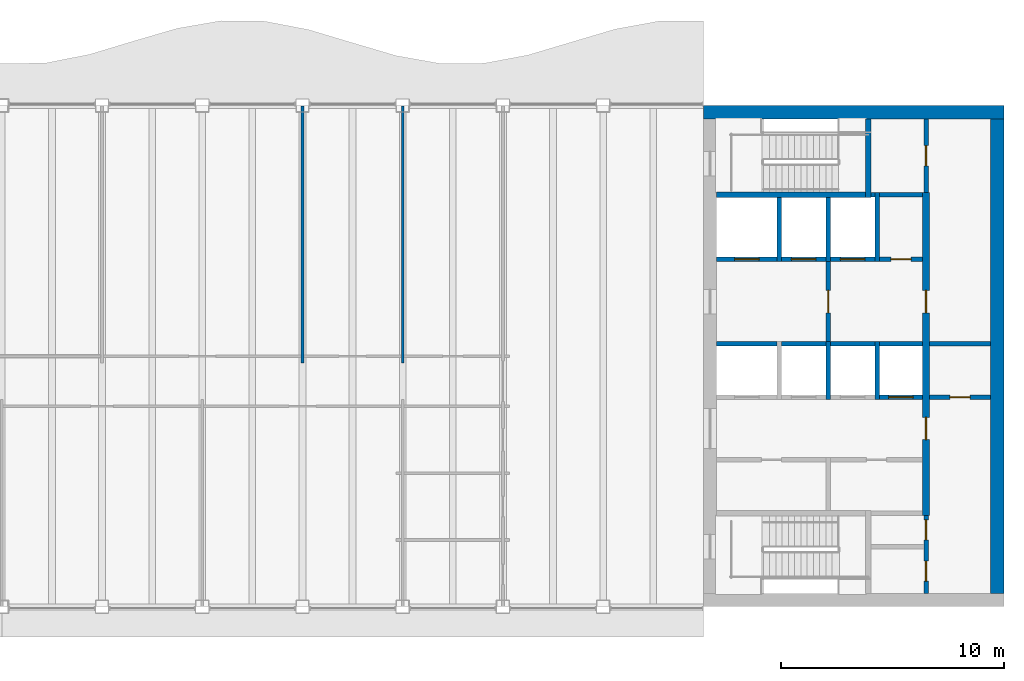
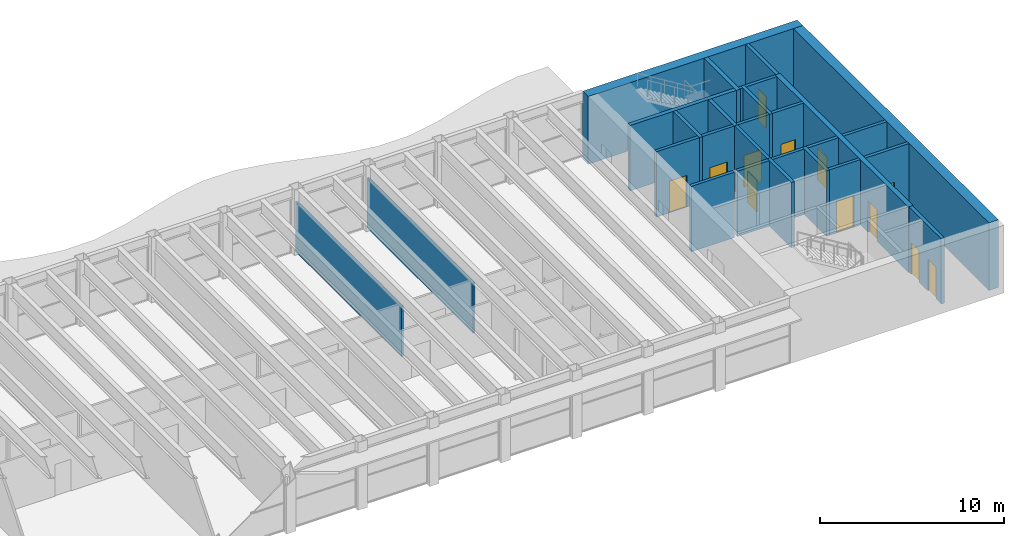
# One storey, part 10 of 14: 28 walls, 12 doors, 12 openings.
"""IFC4 building model written with IfcOpenShell, lengths in metres."""

from ifc_helpers import new_model, si_unit, direction, frame, frame_2d, origin, place, context, subcontext, project, spatial, rectangle, extrude, material, layer, layer_set, type_object, element, fill, save


model = new_model("IFC4")

# Units and contexts
model_context = context("Model", 3, precision=1e-05, world=origin(), true_north=direction((0.0, 1.0)))
body_context = subcontext(model_context, "Body", "Model", "MODEL_VIEW")
ifc_project = project(units=[si_unit("LENGTHUNIT", "METRE"), si_unit("AREAUNIT", "SQUARE_METRE"), si_unit("VOLUMEUNIT", "CUBIC_METRE"), si_unit("PLANEANGLEUNIT", "RADIAN"), si_unit("MASSUNIT", "GRAM", prefix="KILO")], contexts=[model_context])

# Site, building, storey
site_placement = place(None, origin())
site = spatial("IfcSite", under=ifc_project, at=site_placement, CompositionType="ELEMENT")
building_placement = place(site_placement, origin())
building = spatial("IfcBuilding", under=site, at=building_placement, Name="Sennacour Bend Tower", CompositionType="ELEMENT")
storey_placement = place(building_placement, frame((0.0, 0.0, 309.5)))
storey = spatial("IfcBuildingStorey", under=building, at=storey_placement, Name="L71", CompositionType="ELEMENT", Elevation=309.5)

# Walls
ifc_material_1 = material(Name="Concrete C50/60", Category="concrete")
ifc_layer_1 = layer(ifc_material_1, 0.60009765625, Name="Concrete C50/60", Category="concrete")
ifc_layer_set_1 = layer_set([ifc_layer_1], Name="Concrete C50/60")
wall_type_1 = type_object("IfcWallType", Name="Core wall 600 C50/60", PredefinedType="SHEAR", material=ifc_layer_set_1)
wall_1_placement = place(storey_placement, frame((54.0, 22.199951171875, -0.14990234375), z_axis=(0.0, 0.0, 1.0), x_axis=(1.0, 0.0, 0.0)))
element("IfcWall", 1, at=wall_1_placement, inside=storey, type_object=wall_type_1, Name="Core A wall L71 N", PredefinedType="SHEAR", context=body_context, shape_type="SweptSolid", body=[
    extrude(rectangle(XDim=13.5, YDim=0.60009765625, at=frame_2d((6.75, 0.0))), origin(), (0.0, 0.0, 1.0), 4.5),
])
wall_2_placement = place(storey_placement, frame((67.199951171875, 0.60009765625, -0.14990234375), z_axis=(0.0, 0.0, 1.0), x_axis=(0.0, 1.0, 0.0)))
element("IfcWall", 2, at=wall_2_placement, inside=storey, type_object=wall_type_1, Name="Core A wall L71 E", PredefinedType="SHEAR", context=body_context, shape_type="SweptSolid", body=[
    extrude(rectangle(XDim=21.2998046875, YDim=0.60009765625, at=frame_2d((10.64990234375, 0.0))), origin(), (0.0, 0.0, 1.0), 4.5),
])
ifc_material_2 = material(Name="Plasterboard partition on steel studs", Category="steel")
ifc_layer_2 = layer(ifc_material_2, 0.1201171875, Name="Plasterboard partition on steel studs", Category="steel")
ifc_layer_set_2 = layer_set([ifc_layer_2], Name="Plasterboard partition on steel studs")
wall_type_2 = type_object("IfcWallType", Name="Partition 120", PredefinedType="PARTITIONING", material=ifc_layer_set_2)
for number, where, z_axis, x_axis, name in (
    (3, (36.0, 10.949951171875, 0.0), (0.0, 0.0, 1.0), (0.0, 1.0, 0.0), "P-L71-W012a"),
    (4, (40.5, 10.949951171875, 0.0), (0.0, 0.0, 1.0), (0.0, 1.0, 0.0), "P-L71-W014a"),
):
    element("IfcWall", number, at=place(storey_placement, frame(where, z_axis=z_axis, x_axis=x_axis)), inside=storey, type_object=wall_type_2, Name=name, PredefinedType="PARTITIONING", context=body_context, shape_type="SweptSolid", body=[
        extrude(rectangle(XDim=11.5400390625, YDim=0.1201171875, at=frame_2d((5.77001953125, 0.0))), origin(), (0.0, 0.0, 1.0), 3.35888671875),
    ])

# Wall, openings, doors
ifc_material_3 = material(Name="Fire-rated plasterboard partition on steel studs", Category="steel")
ifc_layer_3 = layer(ifc_material_3, 0.199951171875, Name="Fire-rated plasterboard partition on steel studs", Category="steel")
ifc_layer_set_3 = layer_set([ifc_layer_3], Name="Fire-rated plasterboard partition on steel studs")
wall_type_3 = type_object("IfcWallType", Name="Rated partition 200", PredefinedType="PARTITIONING", material=ifc_layer_set_3)
wall_3_placement = place(storey_placement, frame((64.0, 0.60009765625, 0.0), z_axis=(0.0, 0.0, 1.0), x_axis=(0.0, 1.0, 0.0)))
wall_3 = element("IfcWall", 5, at=wall_3_placement, inside=storey, type_object=wall_type_3, Name="P-L71-W026", PredefinedType="PARTITIONING", context=body_context, shape_type="SweptSolid", body=[
    extrude(rectangle(XDim=3.5, YDim=0.199951171875, at=frame_2d((1.75, 0.0))), origin(), (0.0, 0.0, 1.0), 4.35009765625),
])
opening_1_placement = place(wall_3_placement, frame((0.5498046875, 0.0, 0.0)))
opening_1 = element("IfcOpeningElement", 6, at=opening_1_placement, cuts=wall_3, Name="Opening SV", PredefinedType="OPENING", context=body_context, shape_type="SweptSolid", body=[
    extrude(rectangle(XDim=0.89990234375, YDim=2.10009765625, at=frame_2d((0.449951171875, 1.050048828125))), frame((0.0, 0.10986328125, 0.0), z_axis=(0.0, -1.0, 0.0), x_axis=(1.0, 0.0, 0.0)), (0.0, 0.0, 1.0), 0.219970703125),
])
opening_2_placement = place(wall_3_placement, frame((2.39990234375, 0.0, 0.0)))
opening_2 = element("IfcOpeningElement", 7, at=opening_2_placement, cuts=wall_3, Name="Opening SV", PredefinedType="OPENING", context=body_context, shape_type="SweptSolid", body=[
    extrude(rectangle(XDim=0.89990234375, YDim=2.10009765625, at=frame_2d((0.449951171875, 1.050048828125))), frame((0.0, 0.10986328125, 0.0), z_axis=(0.0, -1.0, 0.0), x_axis=(1.0, 0.0, 0.0)), (0.0, 0.0, 1.0), 0.219970703125),
])
ifc_material_4 = material(Name="Painted steel", Category="steel")
door_type_1 = type_object("IfcDoorType", Name="DR-SERVICE-900", OperationType="NOTDEFINED", PredefinedType="DOOR", material=ifc_material_4)
door_1_placement = place(opening_1_placement, origin())
door_1 = element("IfcDoor", 8, at=door_1_placement, inside=storey, type_object=door_type_1, Name="Door", OperationType="SINGLE_SWING_LEFT", OverallHeight=2.10009765625, OverallWidth=0.89990234375, PredefinedType="DOOR", context=body_context, shape_type="SweptSolid", body=[
    extrude(rectangle(XDim=0.89990234375, YDim=2.10009765625, at=frame_2d((0.449951171875, 1.050048828125))), frame((0.0, 0.02490234375, 0.0), z_axis=(0.0, -1.0, 0.0), x_axis=(1.0, 0.0, 0.0)), (0.0, 0.0, 1.0), 0.050048828125),
])
fill(opening_1, door_1)
door_2_placement = place(opening_2_placement, origin())
door_2 = element("IfcDoor", 9, at=door_2_placement, inside=storey, type_object=door_type_1, Name="Door", OperationType="SINGLE_SWING_RIGHT", OverallHeight=2.10009765625, OverallWidth=0.89990234375, PredefinedType="DOOR", context=body_context, shape_type="SweptSolid", body=[
    extrude(rectangle(XDim=0.89990234375, YDim=2.10009765625, at=frame_2d((0.449951171875, 1.050048828125))), frame((0.0, 0.02490234375, 0.0), z_axis=(0.0, -1.0, 0.0), x_axis=(1.0, 0.0, 0.0)), (0.0, 0.0, 1.0), 0.050048828125),
])
fill(opening_2, door_2)

# Wall, opening, door
wall_4_placement = place(storey_placement, frame((64.0, 18.60009765625, 0.0), z_axis=(0.0, 0.0, 1.0), x_axis=(0.0, 1.0, 0.0)))
wall_4 = element("IfcWall", 10, at=wall_4_placement, inside=storey, type_object=wall_type_3, Name="P-L71-W028", PredefinedType="PARTITIONING", context=body_context, shape_type="SweptSolid", body=[
    extrude(rectangle(XDim=3.2998046875, YDim=0.199951171875, at=frame_2d((1.64990234375, 0.0))), origin(), (0.0, 0.0, 1.0), 4.35009765625),
])
opening_3_placement = place(wall_4_placement, frame((1.199951171875, 0.0, 0.0)))
opening_3 = element("IfcOpeningElement", 11, at=opening_3_placement, cuts=wall_4, Name="Opening WD", PredefinedType="OPENING", context=body_context, shape_type="SweptSolid", body=[
    extrude(rectangle(XDim=0.89990234375, YDim=2.10009765625, at=frame_2d((0.449951171875, 1.050048828125))), frame((0.0, 0.10986328125, 0.0), z_axis=(0.0, -1.0, 0.0), x_axis=(1.0, 0.0, 0.0)), (0.0, 0.0, 1.0), 0.219970703125),
])
ifc_material_5 = material(Name="Timber", Category="wood")
door_type_2 = type_object("IfcDoorType", Name="DR-WC-900", OperationType="NOTDEFINED", PredefinedType="DOOR", material=ifc_material_5)
door_3_placement = place(opening_3_placement, origin())
door_3 = element("IfcDoor", 12, at=door_3_placement, inside=storey, type_object=door_type_2, Name="Door", OperationType="SINGLE_SWING_LEFT", OverallHeight=2.10009765625, OverallWidth=0.89990234375, PredefinedType="DOOR", context=body_context, shape_type="SweptSolid", body=[
    extrude(rectangle(XDim=0.89990234375, YDim=2.10009765625, at=frame_2d((0.449951171875, 1.050048828125))), frame((0.0, 0.02490234375, 0.0), z_axis=(0.0, -1.0, 0.0), x_axis=(1.0, 0.0, 0.0)), (0.0, 0.0, 1.0), 0.050048828125),
])
fill(opening_3, door_3)

wall_5_placement = place(storey_placement, frame((64.14990234375, 9.39990234375, 0.0), z_axis=(0.0, 0.0, 1.0), x_axis=(1.0, 0.0, 0.0)))
wall_5 = element("IfcWall", 13, at=wall_5_placement, inside=storey, type_object=wall_type_3, Name="P-L71-W041", PredefinedType="PARTITIONING", context=body_context, shape_type="SweptSolid", body=[
    extrude(rectangle(XDim=2.75, YDim=0.199951171875, at=frame_2d((1.375, 0.0))), origin(), (0.0, 0.0, 1.0), 4.35009765625),
])
opening_4_placement = place(wall_5_placement, frame((0.925048828125, 0.0, 0.0)))
opening_4 = element("IfcOpeningElement", 14, at=opening_4_placement, cuts=wall_5, Name="Opening SV", PredefinedType="OPENING", context=body_context, shape_type="SweptSolid", body=[
    extrude(rectangle(XDim=0.89990234375, YDim=2.10009765625, at=frame_2d((0.449951171875, 1.050048828125))), frame((0.0, 0.10986328125, 0.0), z_axis=(0.0, -1.0, 0.0), x_axis=(1.0, 0.0, 0.0)), (0.0, 0.0, 1.0), 0.219970703125),
])
door_4_placement = place(opening_4_placement, origin())
door_4 = element("IfcDoor", 15, at=door_4_placement, inside=storey, type_object=door_type_1, Name="Door", OperationType="SINGLE_SWING_LEFT", OverallHeight=2.10009765625, OverallWidth=0.89990234375, PredefinedType="DOOR", context=body_context, shape_type="SweptSolid", body=[
    extrude(rectangle(XDim=0.89990234375, YDim=2.10009765625, at=frame_2d((0.449951171875, 1.050048828125))), frame((0.0, 0.02490234375, 0.0), z_axis=(0.0, -1.0, 0.0), x_axis=(1.0, 0.0, 0.0)), (0.0, 0.0, 1.0), 0.050048828125),
])
fill(opening_4, door_4)

# Wall
wall_6_placement = place(storey_placement, frame((64.14990234375, 11.800048828125, 0.0), z_axis=(0.0, 0.0, 1.0), x_axis=(1.0, 0.0, 0.0)))
element("IfcWall", 16, at=wall_6_placement, inside=storey, type_object=wall_type_3, Name="P-L71-W044", PredefinedType="PARTITIONING", context=body_context, shape_type="SweptSolid", body=[
    extrude(rectangle(XDim=2.75, YDim=0.199951171875, at=frame_2d((1.375, 0.0))), origin(), (0.0, 0.0, 1.0), 4.35009765625),
])

# Wall, opening, door
wall_7_placement = place(storey_placement, frame((61.89990234375, 15.60009765625, 0.0), z_axis=(0.0, 0.0, 1.0), x_axis=(1.0, 0.0, 0.0)))
wall_7 = element("IfcWall", 17, at=wall_7_placement, inside=storey, type_object=wall_type_3, Name="P-L71-W046", PredefinedType="PARTITIONING", context=body_context, shape_type="SweptSolid", body=[
    extrude(rectangle(XDim=1.9501953125, YDim=0.199951171875, at=frame_2d((0.97509765625, 0.0))), origin(), (0.0, 0.0, 1.0), 4.35009765625),
])
opening_5_placement = place(wall_7_placement, frame((0.525146484375, 0.0, 0.0)))
opening_5 = element("IfcOpeningElement", 18, at=opening_5_placement, cuts=wall_7, Name="Opening SV", PredefinedType="OPENING", context=body_context, shape_type="SweptSolid", body=[
    extrude(rectangle(XDim=0.89990234375, YDim=2.10009765625, at=frame_2d((0.449951171875, 1.050048828125))), frame((0.0, 0.10986328125, 0.0), z_axis=(0.0, -1.0, 0.0), x_axis=(1.0, 0.0, 0.0)), (0.0, 0.0, 1.0), 0.219970703125),
])
door_5_placement = place(opening_5_placement, origin())
door_5 = element("IfcDoor", 19, at=door_5_placement, inside=storey, type_object=door_type_1, Name="Door", OperationType="SINGLE_SWING_LEFT", OverallHeight=2.10009765625, OverallWidth=0.89990234375, PredefinedType="DOOR", context=body_context, shape_type="SweptSolid", body=[
    extrude(rectangle(XDim=0.89990234375, YDim=2.10009765625, at=frame_2d((0.449951171875, 1.050048828125))), frame((0.0, 0.02490234375, 0.0), z_axis=(0.0, -1.0, 0.0), x_axis=(1.0, 0.0, 0.0)), (0.0, 0.0, 1.0), 0.050048828125),
])
fill(opening_5, door_5)

# Wall
wall_8_placement = place(storey_placement, frame((61.89990234375, 18.5, 0.0), z_axis=(0.0, 0.0, 1.0), x_axis=(1.0, 0.0, 0.0)))
element("IfcWall", 20, at=wall_8_placement, inside=storey, type_object=wall_type_3, Name="P-L71-W049", PredefinedType="PARTITIONING", context=body_context, shape_type="SweptSolid", body=[
    extrude(rectangle(XDim=1.9501953125, YDim=0.199951171875, at=frame_2d((0.97509765625, 0.0))), origin(), (0.0, 0.0, 1.0), 4.35009765625),
])

# Wall, opening, door
ifc_layer_4 = layer(ifc_material_3, 0.199951171875, Name="Fire-rated plasterboard partition on steel studs", Category="steel")
ifc_layer_set_4 = layer_set([ifc_layer_4], Name="Fire-rated plasterboard partition on steel studs")
wall_type_4 = type_object("IfcWallType", Name="Rated partition 200 EI 90", PredefinedType="PARTITIONING", material=ifc_layer_set_4)
wall_9_placement = place(storey_placement, frame((59.60009765625, 11.89990234375, 0.0), z_axis=(0.0, 0.0, 1.0), x_axis=(0.0, 1.0, 0.0)))
wall_9 = element("IfcWall", 21, at=wall_9_placement, inside=storey, type_object=wall_type_4, Name="P-L71-W020", PredefinedType="PARTITIONING", context=body_context, shape_type="SweptSolid", body=[
    extrude(rectangle(XDim=3.60009765625, YDim=0.199951171875, at=frame_2d((1.800048828125, 0.0))), origin(), (0.0, 0.0, 1.0), 4.35009765625),
])
opening_6_placement = place(wall_9_placement, frame((1.300048828125, 0.0, 0.0)))
opening_6 = element("IfcOpeningElement", 22, at=opening_6_placement, cuts=wall_9, Name="Opening FD2", PredefinedType="OPENING", context=body_context, shape_type="SweptSolid", body=[
    extrude(rectangle(XDim=1.0, YDim=2.10009765625, at=frame_2d((0.5, 1.050048828125))), frame((0.0, 0.10986328125, 0.0), z_axis=(0.0, -1.0, 0.0), x_axis=(1.0, 0.0, 0.0)), (0.0, 0.0, 1.0), 0.219970703125),
])
door_type_3 = type_object("IfcDoorType", Name="DR-FFL-1000", OperationType="NOTDEFINED", PredefinedType="DOOR", material=ifc_material_4)
door_6_placement = place(opening_6_placement, origin())
door_6 = element("IfcDoor", 23, at=door_6_placement, inside=storey, type_object=door_type_3, Name="Door", OperationType="SINGLE_SWING_LEFT", OverallHeight=2.10009765625, OverallWidth=1.0, PredefinedType="DOOR", context=body_context, shape_type="SweptSolid", body=[
    extrude(rectangle(XDim=1.0, YDim=2.10009765625, at=frame_2d((0.5, 1.050048828125))), frame((0.0, 0.02490234375, 0.0), z_axis=(0.0, -1.0, 0.0), x_axis=(1.0, 0.0, 0.0)), (0.0, 0.0, 1.0), 0.050048828125),
])
fill(opening_6, door_6)

# Walls
ifc_layer_5 = layer(ifc_material_1, 0.199951171875, Name="Concrete C50/60", Category="concrete")
ifc_layer_set_5 = layer_set([ifc_layer_5], Name="Concrete C50/60")
wall_type_5 = type_object("IfcWallType", Name="Shaft wall 200", PredefinedType="SOLIDWALL", material=ifc_layer_set_5)
wall_10_placement = place(storey_placement, frame((57.39990234375, 15.5, 0.0), z_axis=(0.0, 0.0, 1.0), x_axis=(0.0, 1.0, 0.0)))
element("IfcWall", 24, at=wall_10_placement, inside=storey, type_object=wall_type_5, Name="P-L71-W017", PredefinedType="SOLIDWALL", context=body_context, shape_type="SweptSolid", body=[
    extrude(rectangle(XDim=2.875, YDim=0.199951171875, at=frame_2d((1.4375, 0.0))), origin(), (0.0, 0.0, 1.0), 4.35009765625),
])
wall_11_placement = place(storey_placement, frame((59.60009765625, 9.300048828125, 0.0), z_axis=(0.0, 0.0, 1.0), x_axis=(0.0, 1.0, 0.0)))
element("IfcWall", 25, at=wall_11_placement, inside=storey, type_object=wall_type_5, Name="P-L71-W019", PredefinedType="SOLIDWALL", context=body_context, shape_type="SweptSolid", body=[
    extrude(rectangle(XDim=2.599853515625, YDim=0.199951171875, at=frame_2d((1.2998046875, 0.0))), origin(), (0.0, 0.0, 1.0), 4.35009765625),
])
wall_12_placement = place(storey_placement, frame((59.60009765625, 15.5, 0.0), z_axis=(0.0, 0.0, 1.0), x_axis=(0.0, 1.0, 0.0)))
element("IfcWall", 26, at=wall_12_placement, inside=storey, type_object=wall_type_5, Name="P-L71-W021", PredefinedType="SOLIDWALL", context=body_context, shape_type="SweptSolid", body=[
    extrude(rectangle(XDim=2.875, YDim=0.199951171875, at=frame_2d((1.4375, 0.0))), origin(), (0.0, 0.0, 1.0), 4.35009765625),
])
wall_13_placement = place(storey_placement, frame((61.800048828125, 9.300048828125, 0.0), z_axis=(0.0, 0.0, 1.0), x_axis=(0.0, 1.0, 0.0)))
element("IfcWall", 27, at=wall_13_placement, inside=storey, type_object=wall_type_5, Name="P-L71-W024", PredefinedType="SOLIDWALL", context=body_context, shape_type="SweptSolid", body=[
    extrude(rectangle(XDim=2.599853515625, YDim=0.199951171875, at=frame_2d((1.2998046875, 0.0))), origin(), (0.0, 0.0, 1.0), 4.35009765625),
])
wall_14_placement = place(storey_placement, frame((61.800048828125, 15.5, 0.0), z_axis=(0.0, 0.0, 1.0), x_axis=(0.0, 1.0, 0.0)))
element("IfcWall", 28, at=wall_14_placement, inside=storey, type_object=wall_type_5, Name="P-L71-W025", PredefinedType="SOLIDWALL", context=body_context, shape_type="SweptSolid", body=[
    extrude(rectangle(XDim=3.10009765625, YDim=0.199951171875, at=frame_2d((1.550048828125, 0.0))), origin(), (0.0, 0.0, 1.0), 4.35009765625),
])

# Wall, opening, door
wall_15_placement = place(storey_placement, frame((61.89990234375, 9.39990234375, 0.0), z_axis=(0.0, 0.0, 1.0), x_axis=(1.0, 0.0, 0.0)))
wall_15 = element("IfcWall", 29, at=wall_15_placement, inside=storey, type_object=wall_type_5, Name="P-L71-W040d", PredefinedType="SOLIDWALL", context=body_context, shape_type="SweptSolid", body=[
    extrude(rectangle(XDim=1.9501953125, YDim=0.199951171875, at=frame_2d((0.97509765625, 0.0))), origin(), (0.0, 0.0, 1.0), 4.35009765625),
])
opening_7_placement = place(wall_15_placement, frame((0.425048828125, 0.0, 0.011962890625)))
opening_7 = element("IfcOpeningElement", 30, at=opening_7_placement, cuts=wall_15, Name="Opening LD", PredefinedType="OPENING", context=body_context, shape_type="SweptSolid", body=[
    extrude(rectangle(XDim=1.10009765625, YDim=2.10009765625, at=frame_2d((0.550048828125, 1.050048828125))), frame((0.0, 0.10986328125, 0.0), z_axis=(0.0, -1.0, 0.0), x_axis=(1.0, 0.0, 0.0)), (0.0, 0.0, 1.0), 0.219970703125),
])
ifc_material_6 = material(Name="Stainless steel", Category="steel")
door_type_4 = type_object("IfcDoorType", Name="DR-LANDING-1100", OperationType="NOTDEFINED", PredefinedType="DOOR", material=ifc_material_6)
door_7_placement = place(opening_7_placement, origin())
door_7 = element("IfcDoor", 31, at=door_7_placement, inside=storey, type_object=door_type_4, Name="Lift landing door HA4", OperationType="SLIDING_TO_RIGHT", OverallHeight=2.10009765625, OverallWidth=1.10009765625, PredefinedType="DOOR", context=body_context, shape_type="SweptSolid", body=[
    extrude(rectangle(XDim=1.10009765625, YDim=2.10009765625, at=frame_2d((0.550048828125, 1.050048828125))), frame((0.0, 0.02490234375, 0.0), z_axis=(0.0, -1.0, 0.0), x_axis=(1.0, 0.0, 0.0)), (0.0, 0.0, 1.0), 0.050048828125),
])
fill(opening_7, door_7)

# Walls
wall_16_placement = place(storey_placement, frame((54.60009765625, 11.800048828125, 0.0), z_axis=(0.0, 0.0, 1.0), x_axis=(1.0, 0.0, 0.0)))
element("IfcWall", 32, at=wall_16_placement, inside=storey, type_object=wall_type_5, Name="P-L71-W043a", PredefinedType="SOLIDWALL", context=body_context, shape_type="SweptSolid", body=[
    extrude(rectangle(XDim=2.699951171875, YDim=0.199951171875, at=frame_2d((1.35009765625, 0.0))), origin(), (0.0, 0.0, 1.0), 4.35009765625),
])
for number, where, z_axis, x_axis, name in (
    (33, (57.5, 11.800048828125, 0.0), (0.0, 0.0, 1.0), (1.0, 0.0, 0.0), "P-L71-W043b"),
    (34, (59.699951171875, 11.800048828125, 0.0), (0.0, 0.0, 1.0), (1.0, 0.0, 0.0), "P-L71-W043c"),
):
    element("IfcWall", number, at=place(storey_placement, frame(where, z_axis=z_axis, x_axis=x_axis)), inside=storey, type_object=wall_type_5, Name=name, PredefinedType="SOLIDWALL", context=body_context, shape_type="SweptSolid", body=[
        extrude(rectangle(XDim=2.0, YDim=0.199951171875, at=frame_2d((1.0, 0.0))), origin(), (0.0, 0.0, 1.0), 4.35009765625),
    ])
wall_17_placement = place(storey_placement, frame((61.89990234375, 11.800048828125, 0.0), z_axis=(0.0, 0.0, 1.0), x_axis=(1.0, 0.0, 0.0)))
element("IfcWall", 35, at=wall_17_placement, inside=storey, type_object=wall_type_5, Name="P-L71-W043d", PredefinedType="SOLIDWALL", context=body_context, shape_type="SweptSolid", body=[
    extrude(rectangle(XDim=1.9501953125, YDim=0.199951171875, at=frame_2d((0.97509765625, 0.0))), origin(), (0.0, 0.0, 1.0), 4.35009765625),
])

# Wall, opening, door
wall_18_placement = place(storey_placement, frame((54.60009765625, 15.60009765625, 0.0), z_axis=(0.0, 0.0, 1.0), x_axis=(1.0, 0.0, 0.0)))
wall_18 = element("IfcWall", 36, at=wall_18_placement, inside=storey, type_object=wall_type_5, Name="P-L71-W045a", PredefinedType="SOLIDWALL", context=body_context, shape_type="SweptSolid", body=[
    extrude(rectangle(XDim=2.699951171875, YDim=0.199951171875, at=frame_2d((1.35009765625, 0.0))), origin(), (0.0, 0.0, 1.0), 4.35009765625),
])
opening_8_placement = place(wall_18_placement, frame((0.7998046875, 0.0, 0.011962890625)))
opening_8 = element("IfcOpeningElement", 37, at=opening_8_placement, cuts=wall_18, Name="Opening FLD", PredefinedType="OPENING", context=body_context, shape_type="SweptSolid", body=[
    extrude(rectangle(XDim=1.10009765625, YDim=2.10009765625, at=frame_2d((0.550048828125, 1.050048828125))), frame((0.0, 0.10986328125, 0.0), z_axis=(0.0, -1.0, 0.0), x_axis=(1.0, 0.0, 0.0)), (0.0, 0.0, 1.0), 0.219970703125),
])
door_type_5 = type_object("IfcDoorType", Name="DR-FF-LANDING-1100", OperationType="NOTDEFINED", PredefinedType="DOOR", material=ifc_material_6)
door_8_placement = place(opening_8_placement, origin())
door_8 = element("IfcDoor", 38, at=door_8_placement, inside=storey, type_object=door_type_5, Name="Fire service lift landing door FA1", OperationType="SLIDING_TO_LEFT", OverallHeight=2.10009765625, OverallWidth=1.10009765625, PredefinedType="DOOR", context=body_context, shape_type="SweptSolid", body=[
    extrude(rectangle(XDim=1.10009765625, YDim=2.10009765625, at=frame_2d((0.550048828125, 1.050048828125))), frame((0.0, 0.02490234375, 0.0), z_axis=(0.0, -1.0, 0.0), x_axis=(1.0, 0.0, 0.0)), (0.0, 0.0, 1.0), 0.050048828125),
])
fill(opening_8, door_8)

wall_19_placement = place(storey_placement, frame((57.5, 15.60009765625, 0.0), z_axis=(0.0, 0.0, 1.0), x_axis=(1.0, 0.0, 0.0)))
wall_19 = element("IfcWall", 39, at=wall_19_placement, inside=storey, type_object=wall_type_5, Name="P-L71-W045b", PredefinedType="SOLIDWALL", context=body_context, shape_type="SweptSolid", body=[
    extrude(rectangle(XDim=2.0, YDim=0.199951171875, at=frame_2d((1.0, 0.0))), origin(), (0.0, 0.0, 1.0), 4.35009765625),
])
opening_9_placement = place(wall_19_placement, frame((0.449951171875, 0.0, 0.011962890625)))
opening_9 = element("IfcOpeningElement", 40, at=opening_9_placement, cuts=wall_19, Name="Opening FLD", PredefinedType="OPENING", context=body_context, shape_type="SweptSolid", body=[
    extrude(rectangle(XDim=1.10009765625, YDim=2.10009765625, at=frame_2d((0.550048828125, 1.050048828125))), frame((0.0, 0.10986328125, 0.0), z_axis=(0.0, -1.0, 0.0), x_axis=(1.0, 0.0, 0.0)), (0.0, 0.0, 1.0), 0.219970703125),
])
door_9_placement = place(opening_9_placement, origin())
door_9 = element("IfcDoor", 41, at=door_9_placement, inside=storey, type_object=door_type_5, Name="Fire service lift landing door FA2", OperationType="SLIDING_TO_RIGHT", OverallHeight=2.10009765625, OverallWidth=1.10009765625, PredefinedType="DOOR", context=body_context, shape_type="SweptSolid", body=[
    extrude(rectangle(XDim=1.10009765625, YDim=2.10009765625, at=frame_2d((0.550048828125, 1.050048828125))), frame((0.0, 0.02490234375, 0.0), z_axis=(0.0, -1.0, 0.0), x_axis=(1.0, 0.0, 0.0)), (0.0, 0.0, 1.0), 0.050048828125),
])
fill(opening_9, door_9)

wall_20_placement = place(storey_placement, frame((59.699951171875, 15.60009765625, 0.0), z_axis=(0.0, 0.0, 1.0), x_axis=(1.0, 0.0, 0.0)))
wall_20 = element("IfcWall", 42, at=wall_20_placement, inside=storey, type_object=wall_type_5, Name="P-L71-W045c", PredefinedType="SOLIDWALL", context=body_context, shape_type="SweptSolid", body=[
    extrude(rectangle(XDim=2.0, YDim=0.199951171875, at=frame_2d((1.0, 0.0))), origin(), (0.0, 0.0, 1.0), 4.35009765625),
])
opening_10_placement = place(wall_20_placement, frame((0.449951171875, 0.0, 0.011962890625)))
opening_10 = element("IfcOpeningElement", 43, at=opening_10_placement, cuts=wall_20, Name="Opening LD", PredefinedType="OPENING", context=body_context, shape_type="SweptSolid", body=[
    extrude(rectangle(XDim=1.10009765625, YDim=2.10009765625, at=frame_2d((0.550048828125, 1.050048828125))), frame((0.0, 0.10986328125, 0.0), z_axis=(0.0, -1.0, 0.0), x_axis=(1.0, 0.0, 0.0)), (0.0, 0.0, 1.0), 0.219970703125),
])
door_10_placement = place(opening_10_placement, origin())
door_10 = element("IfcDoor", 44, at=door_10_placement, inside=storey, type_object=door_type_4, Name="Lift landing door HA5", OperationType="SLIDING_TO_LEFT", OverallHeight=2.10009765625, OverallWidth=1.10009765625, PredefinedType="DOOR", context=body_context, shape_type="SweptSolid", body=[
    extrude(rectangle(XDim=1.10009765625, YDim=2.10009765625, at=frame_2d((0.550048828125, 1.050048828125))), frame((0.0, 0.02490234375, 0.0), z_axis=(0.0, -1.0, 0.0), x_axis=(1.0, 0.0, 0.0)), (0.0, 0.0, 1.0), 0.050048828125),
])
fill(opening_10, door_10)

# Wall
wall_21_placement = place(storey_placement, frame((61.52490234375, 18.5, 0.0), z_axis=(0.0, 0.0, 1.0), x_axis=(1.0, 0.0, 0.0)))
element("IfcWall", 45, at=wall_21_placement, inside=storey, type_object=wall_type_5, Name="P-L71-W048", PredefinedType="SOLIDWALL", context=body_context, shape_type="SweptSolid", body=[
    extrude(rectangle(XDim=0.175048828125, YDim=0.199951171875, at=frame_2d((0.08740234375, 0.0))), origin(), (0.0, 0.0, 1.0), 4.35009765625),
])

# Wall, openings, doors
ifc_material_7 = material(Name="Concrete C60/75", Category="concrete")
ifc_layer_6 = layer(ifc_material_7, 0.300048828125, Name="Concrete C60/75", Category="concrete")
ifc_layer_set_6 = layer_set([ifc_layer_6], Name="Concrete C60/75")
wall_type_6 = type_object("IfcWallType", Name="Spine wall 300", PredefinedType="SHEAR", material=ifc_layer_set_6)
wall_22_placement = place(storey_placement, frame((64.0, 4.10009765625, 0.0), z_axis=(0.0, 0.0, 1.0), x_axis=(0.0, 1.0, 0.0)))
wall_22 = element("IfcWall", 46, at=wall_22_placement, inside=storey, type_object=wall_type_6, Name="P-L71-W027", PredefinedType="SHEAR", context=body_context, shape_type="SweptSolid", body=[
    extrude(rectangle(XDim=14.5, YDim=0.300048828125, at=frame_2d((7.25, 0.0))), origin(), (0.0, 0.0, 1.0), 4.35009765625),
])
opening_11_placement = place(wall_22_placement, frame((3.39990234375, 0.0, 0.0)))
opening_11 = element("IfcOpeningElement", 47, at=opening_11_placement, cuts=wall_22, Name="Opening CD2", PredefinedType="OPENING", context=body_context, shape_type="SweptSolid", body=[
    extrude(rectangle(XDim=1.0, YDim=2.10009765625, at=frame_2d((0.5, 1.050048828125))), frame((0.0, 0.16015625, 0.0), z_axis=(0.0, -1.0, 0.0), x_axis=(1.0, 0.0, 0.0)), (0.0, 0.0, 1.0), 0.320068359375),
])
opening_12_placement = place(wall_22_placement, frame((9.099853515625, 0.0, 0.0)))
opening_12 = element("IfcOpeningElement", 48, at=opening_12_placement, cuts=wall_22, Name="Opening CD2", PredefinedType="OPENING", context=body_context, shape_type="SweptSolid", body=[
    extrude(rectangle(XDim=1.0, YDim=2.10009765625, at=frame_2d((0.5, 1.050048828125))), frame((0.0, 0.16015625, 0.0), z_axis=(0.0, -1.0, 0.0), x_axis=(1.0, 0.0, 0.0)), (0.0, 0.0, 1.0), 0.320068359375),
])
door_type_6 = type_object("IfcDoorType", Name="DR-LOBBY-1000", OperationType="NOTDEFINED", PredefinedType="DOOR", material=ifc_material_4)
door_11_placement = place(opening_11_placement, origin())
door_11 = element("IfcDoor", 49, at=door_11_placement, inside=storey, type_object=door_type_6, Name="Door", OperationType="SINGLE_SWING_LEFT", OverallHeight=2.10009765625, OverallWidth=1.0, PredefinedType="DOOR", context=body_context, shape_type="SweptSolid", body=[
    extrude(rectangle(XDim=1.0, YDim=2.10009765625, at=frame_2d((0.5, 1.050048828125))), frame((0.0, 0.02490234375, 0.0), z_axis=(0.0, -1.0, 0.0), x_axis=(1.0, 0.0, 0.0)), (0.0, 0.0, 1.0), 0.050048828125),
])
fill(opening_11, door_11)
door_12_placement = place(opening_12_placement, origin())
door_12 = element("IfcDoor", 50, at=door_12_placement, inside=storey, type_object=door_type_6, Name="Door", OperationType="SINGLE_SWING_RIGHT", OverallHeight=2.10009765625, OverallWidth=1.0, PredefinedType="DOOR", context=body_context, shape_type="SweptSolid", body=[
    extrude(rectangle(XDim=1.0, YDim=2.10009765625, at=frame_2d((0.5, 1.050048828125))), frame((0.0, 0.02490234375, 0.0), z_axis=(0.0, -1.0, 0.0), x_axis=(1.0, 0.0, 0.0)), (0.0, 0.0, 1.0), 0.050048828125),
])
fill(opening_12, door_12)

# Walls
ifc_layer_7 = layer(ifc_material_7, 0.25, Name="Concrete C60/75", Category="concrete")
ifc_layer_set_7 = layer_set([ifc_layer_7], Name="Concrete C60/75")
wall_type_7 = type_object("IfcWallType", Name="Stair wall 250", PredefinedType="SHEAR", material=ifc_layer_set_7)
wall_23_placement = place(storey_placement, frame((61.39990234375, 18.375, 0.0), z_axis=(0.0, 0.0, 1.0), x_axis=(0.0, 1.0, 0.0)))
element("IfcWall", 51, at=wall_23_placement, inside=storey, type_object=wall_type_7, Name="P-L71-W023", PredefinedType="SHEAR", context=body_context, shape_type="SweptSolid", body=[
    extrude(rectangle(XDim=3.52490234375, YDim=0.25, at=frame_2d((1.762451171875, 0.0))), origin(), (0.0, 0.0, 1.0), 4.35009765625),
])
wall_24_placement = place(storey_placement, frame((54.60009765625, 18.5, 0.0), z_axis=(0.0, 0.0, 1.0), x_axis=(1.0, 0.0, 0.0)))
element("IfcWall", 52, at=wall_24_placement, inside=storey, type_object=wall_type_7, Name="P-L71-W047", PredefinedType="SHEAR", context=body_context, shape_type="SweptSolid", body=[
    extrude(rectangle(XDim=6.6748046875, YDim=0.25, at=frame_2d((3.33740234375, 0.0))), origin(), (0.0, 0.0, 1.0), 4.35009765625),
])

save(model, "model.ifc")
